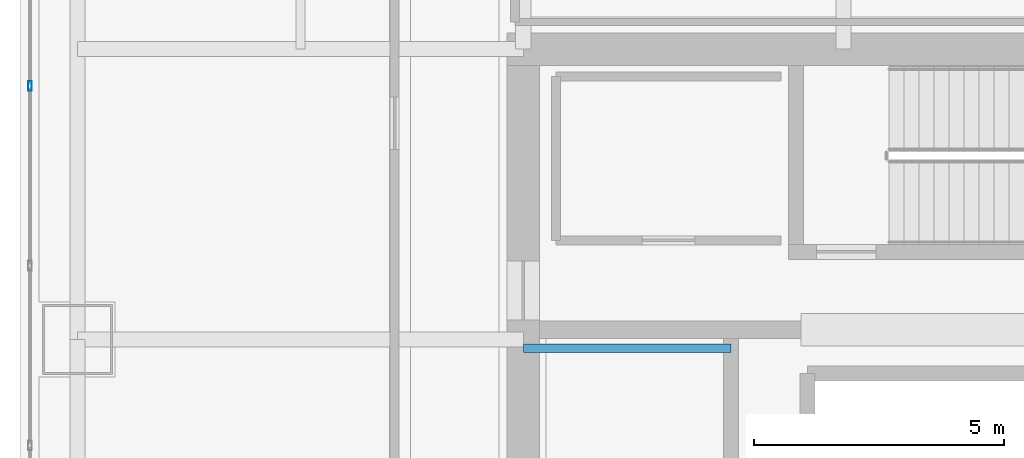
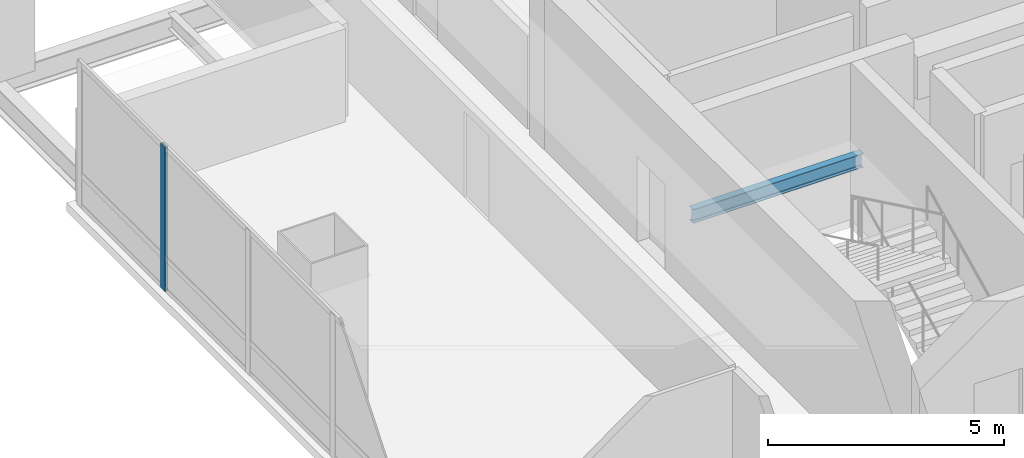
# One storey, part 12 of 35: 1 beam, 1 member, 1 element without a shape of its own.
"""IFC4 building model written with IfcOpenShell, lengths in metres."""

from ifc_helpers import new_model, si_unit, direction, frame, origin, origin_2d, place, context, subcontext, project, spatial, hollow_rectangle, i_section, extrude, material, material_profile, profile_set, type_object, element, aggregate, save


model = new_model("IFC4")

# Units and contexts
model_context = context("Model", 3, precision=1e-05, world=origin(), true_north=direction((0.0, 1.0)))
body_context = subcontext(model_context, "Body", "Model", "MODEL_VIEW")
ifc_project = project(units=[si_unit("LENGTHUNIT", "METRE"), si_unit("AREAUNIT", "SQUARE_METRE"), si_unit("VOLUMEUNIT", "CUBIC_METRE"), si_unit("PLANEANGLEUNIT", "RADIAN"), si_unit("MASSUNIT", "GRAM", prefix="KILO")], contexts=[model_context])

# Site, building, storey
site_placement = place(None, origin())
site = spatial("IfcSite", under=ifc_project, at=site_placement, CompositionType="ELEMENT")
building_placement = place(site_placement, origin())
building = spatial("IfcBuilding", under=site, at=building_placement, Name="Punatoya Terracotta Tower", CompositionType="ELEMENT")
storey_placement = place(building_placement, frame((0.0, 0.0, 232.949951171875)))
storey = spatial("IfcBuildingStorey", under=building, at=storey_placement, Name="L55", CompositionType="ELEMENT", Elevation=232.949951171875)

# Beam
ifc_material_1 = material(Name="Steel S355", Category="steel")
ifc_material_profile_1 = material_profile(ifc_material_1, i_section(OverallWidth=0.169921875, OverallDepth=0.360107421875, WebThickness=0.008056640625, FlangeThickness=0.0126953125, FilletRadius=0.01806640625, at=origin_2d()))
ifc_profile_set_1 = profile_set([ifc_material_profile_1], Name="Steel S355")
beam_type = type_object("IfcBeamType", Name="BM-SEC-360", PredefinedType="JOIST", material=ifc_profile_set_1)
beam_placement = place(storey_placement, frame((-10.199951171875, 3.22998046875, 1.64501953125), z_axis=(1.0, 0.0, 0.0), x_axis=(0.0, 1.0, 0.0)))
element("IfcBeam", 1, at=beam_placement, inside=storey, type_object=beam_type, Name="BM-L55-ST-1-LD1B", PredefinedType="JOIST", context=body_context, shape_type="SweptSolid", body=[
    extrude(i_section(OverallWidth=0.169921875, OverallDepth=0.360107421875, WebThickness=0.008056640625, FlangeThickness=0.0126953125, FilletRadius=0.01806640625, at=origin_2d()), origin(), (0.0, 0.0, 1.0), 4.14990234375),
])

# Curtain wall, member
ifc_material_2 = material(Name="Aluminium 6063-T6 + Double Low-E Glass", Category="aluminium")
curtain_wall_type = type_object("IfcCurtainWallType", Name="CW-M2", PredefinedType="NOTDEFINED", material=ifc_material_2)
curtain_wall_placement = place(storey_placement, origin())
curtain_wall = element("IfcCurtainWall", 2, at=curtain_wall_placement, inside=storey, type_object=curtain_wall_type, Name="L55 Curtain Wall CW-L55-W11-1", PredefinedType="NOTDEFINED")
ifc_material_3 = material(Name="Aluminium 6063-T6", Category="aluminium")
ifc_material_profile_2 = material_profile(ifc_material_3, hollow_rectangle(XDim=0.072021484375, YDim=0.195068359375, WallThickness=0.00439453125, at=origin_2d()))
ifc_profile_set_2 = profile_set([ifc_material_profile_2], Name="Aluminium 6063-T6")
member_type = type_object("IfcMemberType", Name="CW-MUL-M2", PredefinedType="MULLION", material=ifc_profile_set_2)
member_placement = place(storey_placement, frame((-20.050048828125, 8.462646484375, 0.0), z_axis=(0.0, 0.0, 1.0), x_axis=(1.0, 0.0, 0.0)))
member = element("IfcMember", 3, at=member_placement, type_object=member_type, Name="CW-L55-W11-1 Mullion 01", PredefinedType="MULLION", context=body_context, shape_type="SweptSolid", body=[
    extrude(hollow_rectangle(XDim=0.072021484375, YDim=0.195068359375, WallThickness=0.00439453125, at=origin_2d()), origin(), (0.0, 0.0, 1.0), 3.72998046875),
])
aggregate(curtain_wall, [member])

save(model, "model.ifc")
